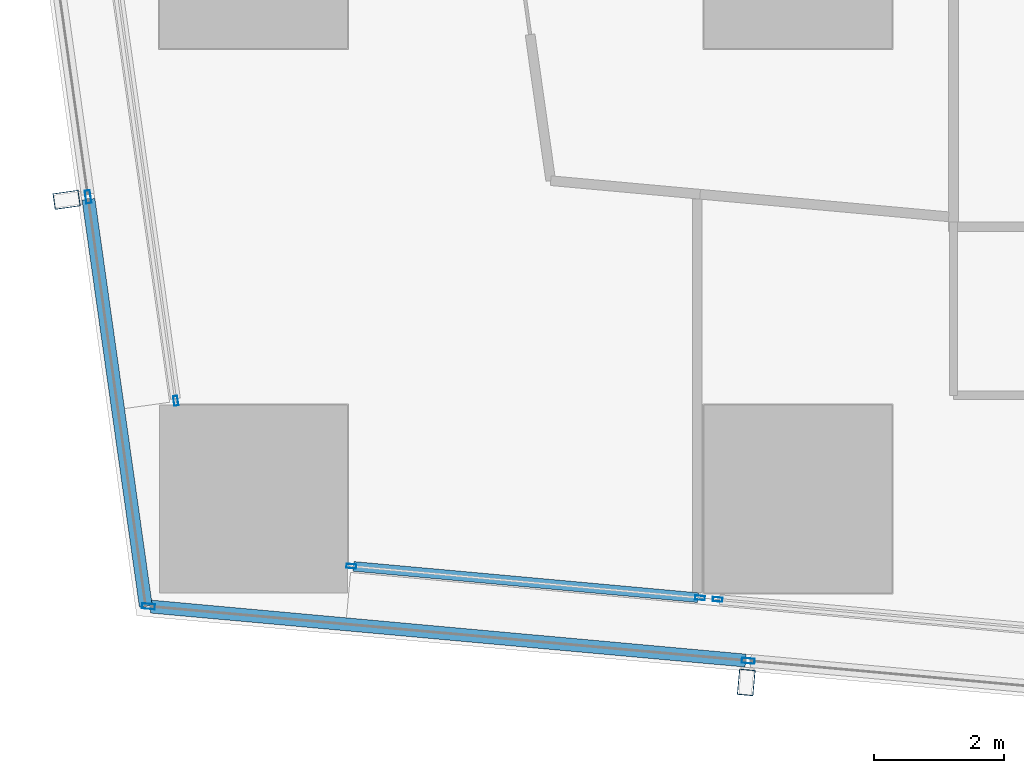
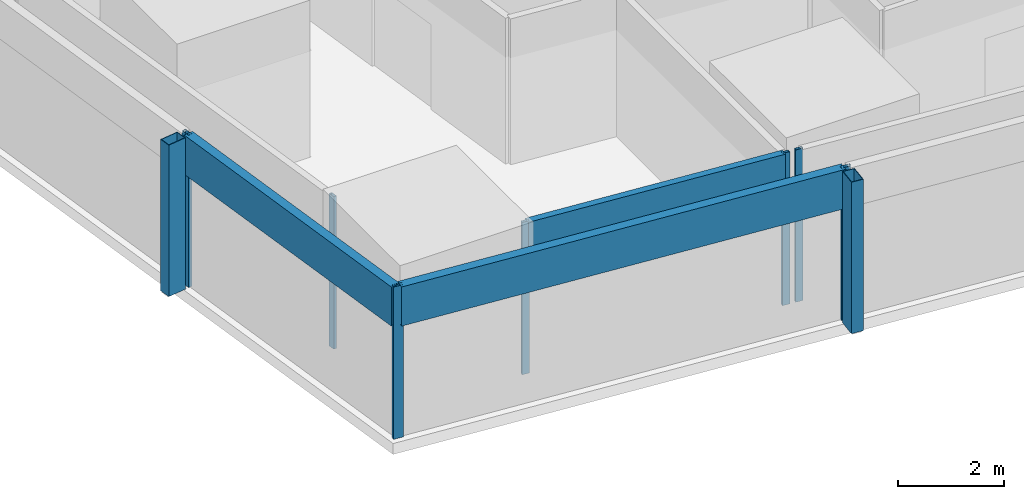
# One storey, part 2 of 40: 12 members, 5 elements without a shape of their own.
"""IFC4 building model written with IfcOpenShell, lengths in metres."""

from ifc_helpers import new_model, si_unit, direction, frame, origin, origin_2d, place, context, subcontext, project, spatial, hollow_rectangle, extrude, material, material_profile, profile_set, type_object, element, aggregate, save


model = new_model("IFC4")

# Units and contexts
model_context = context("Model", 3, precision=1e-05, world=origin(), true_north=direction((0.0, 1.0)))
body_context = subcontext(model_context, "Body", "Model", "MODEL_VIEW")
ifc_project = project(units=[si_unit("LENGTHUNIT", "METRE"), si_unit("AREAUNIT", "SQUARE_METRE"), si_unit("VOLUMEUNIT", "CUBIC_METRE"), si_unit("PLANEANGLEUNIT", "RADIAN"), si_unit("MASSUNIT", "GRAM", prefix="KILO")], contexts=[model_context])

# Site, building, storey
site_placement = place(None, origin())
site = spatial("IfcSite", under=ifc_project, at=site_placement, CompositionType="ELEMENT")
building_placement = place(site_placement, origin())
building = spatial("IfcBuilding", under=site, at=building_placement, Name="Rekha Terrace Tower", CompositionType="ELEMENT")
storey_placement = place(building_placement, frame((0.0, 0.0, 95.300048828125)))
storey = spatial("IfcBuildingStorey", under=building, at=storey_placement, Name="L23", CompositionType="ELEMENT", Elevation=95.300048828125)

# Curtain wall, member
ifc_material_1 = material(Name="Aluminium framing", Category="aluminium")
curtain_wall_type_1 = type_object("IfcCurtainWallType", Name="CW2 double skin outer glazing", PredefinedType="USERDEFINED", material=ifc_material_1)
curtain_wall_1_placement = place(storey_placement, origin())
curtain_wall_1 = element("IfcCurtainWall", 1, at=curtain_wall_1_placement, inside=storey, type_object=curtain_wall_type_1, Name="CW2 double skin outer glazing", ObjectType="DOUBLE SKIN OUTER GLAZING", PredefinedType="USERDEFINED")
ifc_material_2 = material(Name="Steel S355 with fluorocarbon finish", Category="steel")
ifc_material_profile_1 = material_profile(ifc_material_2, hollow_rectangle(XDim=0.25, YDim=0.39990234375, WallThickness=0.012451171875, at=origin_2d()), Name="RHS400x250x12.5")
ifc_profile_set_1 = profile_set([ifc_material_profile_1], Name="Steel S355 with fluorocarbon finish")
member_type_1 = type_object("IfcMemberType", Name="BL1 facade blade RHS 400 x 250", PredefinedType="USERDEFINED", material=ifc_profile_set_1)
member_1_placement = place(storey_placement, frame((16.002197265625, 13.970458984375, 0.02001953125), z_axis=(0.0, 0.0, 1.0), x_axis=(0.995901938317, -0.090439644273, 0.0)))
member_1 = element("IfcMember", 2, at=member_1_placement, type_object=member_type_1, Name="Facade blade", ObjectType="FACADE BLADE", PredefinedType="USERDEFINED", context=body_context, shape_type="SweptSolid", body=[
    extrude(hollow_rectangle(XDim=0.25, YDim=0.39990234375, WallThickness=0.012451171875, at=origin_2d()), origin(), (0.0, 0.0, 1.0), 3.47998046875),
])

curtain_wall_2_placement = place(storey_placement, origin())
curtain_wall_2 = element("IfcCurtainWall", 3, at=curtain_wall_2_placement, inside=storey, type_object=curtain_wall_type_1, Name="CW2 double skin outer glazing", ObjectType="DOUBLE SKIN OUTER GLAZING", PredefinedType="USERDEFINED")
member_2_placement = place(storey_placement, frame((5.51904296875, 21.41455078125, 0.02001953125), z_axis=(0.0, 0.0, 1.0), x_axis=(0.139596532461, -0.990208467003, 0.0)))
member_2 = element("IfcMember", 4, at=member_2_placement, type_object=member_type_1, Name="Facade blade", ObjectType="FACADE BLADE", PredefinedType="USERDEFINED", context=body_context, shape_type="SweptSolid", body=[
    extrude(hollow_rectangle(XDim=0.25, YDim=0.39990234375, WallThickness=0.012451171875, at=origin_2d()), origin(), (0.0, 0.0, 1.0), 3.47998046875),
])

# Curtain wall, members
curtain_wall_type_2 = type_object("IfcCurtainWallType", Name="CW1 double skin inner glazing", PredefinedType="USERDEFINED", material=ifc_material_1)
curtain_wall_3_placement = place(storey_placement, origin())
curtain_wall_3 = element("IfcCurtainWall", 5, at=curtain_wall_3_placement, inside=storey, type_object=curtain_wall_type_2, Name="CW1 double skin inner glazing", ObjectType="DOUBLE SKIN INNER GLAZING", PredefinedType="USERDEFINED")
ifc_material_3 = material(Name="Aluminium mullion section", Category="aluminium")
ifc_material_profile_2 = material_profile(ifc_material_3, hollow_rectangle(XDim=0.06494140625, YDim=0.14990234375, WallThickness=0.00390625, at=origin_2d()), Name="AL RHS 65x150")
ifc_profile_set_2 = profile_set([ifc_material_profile_2], Name="Aluminium mullion section")
member_type_2 = type_object("IfcMemberType", Name="CW1 mullion RHS 65 x 150", PredefinedType="MULLION", material=ifc_profile_set_2)
member_3_placement = place(storey_placement, frame((9.910888671875, 15.763671875, 0.0), z_axis=(0.0, 0.0, 1.0), x_axis=(0.090439811364, 0.995901923143, 0.0)))
member_3 = element("IfcMember", 6, at=member_3_placement, type_object=member_type_2, Name="CW1 mullion 1", PredefinedType="MULLION", context=body_context, shape_type="SweptSolid", body=[
    extrude(hollow_rectangle(XDim=0.06494140625, YDim=0.14990234375, WallThickness=0.00390625, at=origin_2d()), origin(), (0.0, 0.0, 1.0), 3.5),
])
member_4_placement = place(storey_placement, frame((15.2890625, 15.275390625, 0.0), z_axis=(0.0, 0.0, 1.0), x_axis=(0.090439811364, 0.995901923143, 0.0)))
member_4 = element("IfcMember", 7, at=member_4_placement, type_object=member_type_2, Name="CW1 mullion 2", PredefinedType="MULLION", context=body_context, shape_type="SweptSolid", body=[
    extrude(hollow_rectangle(XDim=0.06494140625, YDim=0.14990234375, WallThickness=0.00390625, at=origin_2d()), origin(), (0.0, 0.0, 1.0), 3.5),
])

# Curtain wall, member
curtain_wall_4_placement = place(storey_placement, origin())
curtain_wall_4 = element("IfcCurtainWall", 8, at=curtain_wall_4_placement, inside=storey, type_object=curtain_wall_type_2, Name="CW1 double skin inner glazing", ObjectType="DOUBLE SKIN INNER GLAZING", PredefinedType="USERDEFINED")
member_5_placement = place(storey_placement, frame((15.560546875, 15.250732421875, 0.0), z_axis=(0.0, 0.0, 1.0), x_axis=(0.090439811364, 0.995901923143, 0.0)))
member_5 = element("IfcMember", 9, at=member_5_placement, type_object=member_type_2, Name="CW1 mullion 1", PredefinedType="MULLION", context=body_context, shape_type="SweptSolid", body=[
    extrude(hollow_rectangle(XDim=0.06494140625, YDim=0.14990234375, WallThickness=0.00390625, at=origin_2d()), origin(), (0.0, 0.0, 1.0), 3.5),
])
aggregate(curtain_wall_4, [member_5])

curtain_wall_5_placement = place(storey_placement, origin())
curtain_wall_5 = element("IfcCurtainWall", 10, at=curtain_wall_5_placement, inside=storey, type_object=curtain_wall_type_2, Name="CW1 double skin inner glazing", ObjectType="DOUBLE SKIN INNER GLAZING", PredefinedType="USERDEFINED")
member_6_placement = place(storey_placement, frame((7.203125, 18.315185546875, 0.0), z_axis=(0.0, 0.0, 1.0), x_axis=(0.99020839432, 0.13959704803, 0.0)))
member_6 = element("IfcMember", 11, at=member_6_placement, type_object=member_type_2, Name="CW1 mullion 2", PredefinedType="MULLION", context=body_context, shape_type="SweptSolid", body=[
    extrude(hollow_rectangle(XDim=0.06494140625, YDim=0.14990234375, WallThickness=0.00390625, at=origin_2d()), origin(), (0.0, 0.0, 1.0), 3.5),
])
aggregate(curtain_wall_5, [member_6])

# Member
ifc_material_4 = material(Name="Insulated aluminium spandrel box", Category="aluminium")
ifc_material_profile_3 = material_profile(ifc_material_4, hollow_rectangle(XDim=0.14990234375, YDim=0.89990234375, WallThickness=0.0029296875, at=origin_2d()), Name="AL SPANDREL BOX 150x900")
ifc_profile_set_3 = profile_set([ifc_material_profile_3], Name="Insulated aluminium spandrel box")
member_type_3 = type_object("IfcMemberType", Name="CW1 spandrel transom 150 x 900", PredefinedType="USERDEFINED", material=ifc_profile_set_3)
member_7_placement = place(storey_placement, frame((9.943359375, 15.7607421875, 3.050048828125), z_axis=(0.995903701884, -0.090420222152, 0.0), x_axis=(0.090420222152, 0.995903701884, 0.0)))
member_7 = element("IfcMember", 12, at=member_7_placement, type_object=member_type_3, Name="CW1 spandrel transom 1", ObjectType="TRANSOM", PredefinedType="USERDEFINED", context=body_context, shape_type="SweptSolid", body=[
    extrude(hollow_rectangle(XDim=0.14990234375, YDim=0.89990234375, WallThickness=0.0029296875, at=origin_2d()), origin(), (0.0, 0.0, 1.0), 5.33544921875),
])

aggregate(curtain_wall_3, [member_3, member_4, member_7])

ifc_material_profile_4 = material_profile(ifc_material_3, hollow_rectangle(XDim=0.080078125, YDim=0.199951171875, WallThickness=0.00390625, at=origin_2d()), Name="AL RHS 80x200")
ifc_profile_set_4 = profile_set([ifc_material_profile_4], Name="Aluminium mullion section")
member_type_4 = type_object("IfcMemberType", Name="CW2 mullion RHS 80 x 200", PredefinedType="MULLION", material=ifc_profile_set_4)
member_8_placement = place(storey_placement, frame((6.780517578125, 15.144287109375, 0.0), z_axis=(0.0, 0.0, 1.0), x_axis=(0.090439811433, 0.995901923137, 0.0)))
member_8 = element("IfcMember", 13, at=member_8_placement, type_object=member_type_4, Name="CW2 mullion 1", PredefinedType="MULLION", context=body_context, shape_type="SweptSolid", body=[
    extrude(hollow_rectangle(XDim=0.080078125, YDim=0.199951171875, WallThickness=0.00390625, at=origin_2d()), origin(), (0.0, 0.0, 1.0), 3.5),
])

member_9_placement = place(storey_placement, frame((16.032470703125, 14.30419921875, 0.0), z_axis=(0.0, 0.0, 1.0), x_axis=(0.090439811433, 0.995901923137, 0.0)))
member_9 = element("IfcMember", 14, at=member_9_placement, type_object=member_type_4, Name="CW2 mullion 2", PredefinedType="MULLION", context=body_context, shape_type="SweptSolid", body=[
    extrude(hollow_rectangle(XDim=0.080078125, YDim=0.199951171875, WallThickness=0.00390625, at=origin_2d()), origin(), (0.0, 0.0, 1.0), 3.5),
])

member_10_placement = place(storey_placement, frame((5.8505859375, 21.46142578125, 0.0), z_axis=(0.0, 0.0, 1.0), x_axis=(0.990208394312, 0.139597048082, 0.0)))
member_10 = element("IfcMember", 15, at=member_10_placement, type_object=member_type_4, Name="CW2 mullion 2", PredefinedType="MULLION", context=body_context, shape_type="SweptSolid", body=[
    extrude(hollow_rectangle(XDim=0.080078125, YDim=0.199951171875, WallThickness=0.00390625, at=origin_2d()), origin(), (0.0, 0.0, 1.0), 3.5),
])

ifc_material_profile_5 = material_profile(ifc_material_4, hollow_rectangle(XDim=0.199951171875, YDim=0.89990234375, WallThickness=0.0029296875, at=origin_2d()), Name="AL SPANDREL BOX 200x900")
ifc_profile_set_5 = profile_set([ifc_material_profile_5], Name="Insulated aluminium spandrel box")
member_type_5 = type_object("IfcMemberType", Name="CW2 spandrel transom 200 x 900", PredefinedType="USERDEFINED", material=ifc_profile_set_5)
member_11_placement = place(storey_placement, frame((6.8203125, 15.140625, 3.050048828125), z_axis=(0.995901458883, -0.090444923548, 0.0), x_axis=(0.090444923548, 0.995901458883, 0.0)))
member_11 = element("IfcMember", 16, at=member_11_placement, type_object=member_type_5, Name="CW2 spandrel transom 1", ObjectType="TRANSOM", PredefinedType="USERDEFINED", context=body_context, shape_type="SweptSolid", body=[
    extrude(hollow_rectangle(XDim=0.199951171875, YDim=0.89990234375, WallThickness=0.0029296875, at=origin_2d()), origin(), (0.0, 0.0, 1.0), 9.210205078125),
])

aggregate(curtain_wall_1, [member_8, member_9, member_11, member_1])

member_12_placement = place(storey_placement, frame((5.856201171875, 21.421875, 3.050048828125), z_axis=(0.139603155616, -0.990207533269, 0.0), x_axis=(0.990207533269, 0.139603155616, 0.0)))
member_12 = element("IfcMember", 17, at=member_12_placement, type_object=member_type_5, Name="CW2 spandrel transom 2", ObjectType="TRANSOM", PredefinedType="USERDEFINED", context=body_context, shape_type="SweptSolid", body=[
    extrude(hollow_rectangle(XDim=0.199951171875, YDim=0.89990234375, WallThickness=0.0029296875, at=origin_2d()), origin(), (0.0, 0.0, 1.0), 6.3359375),
])

aggregate(curtain_wall_2, [member_10, member_12, member_2])

save(model, "model.ifc")
